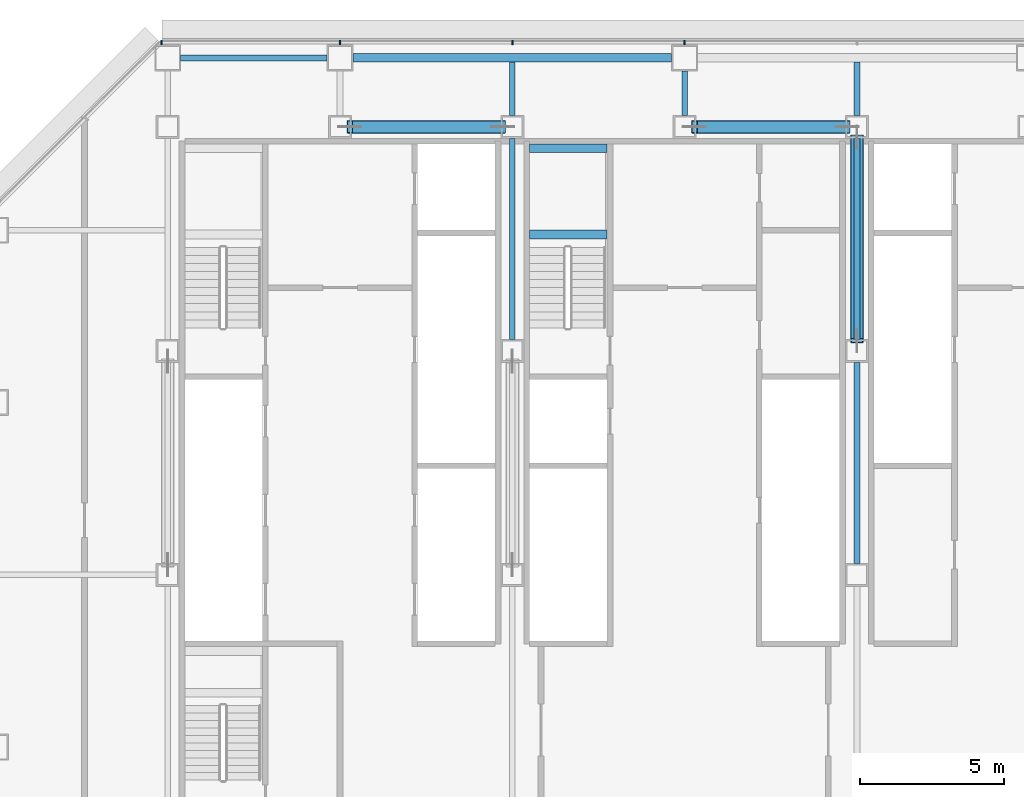
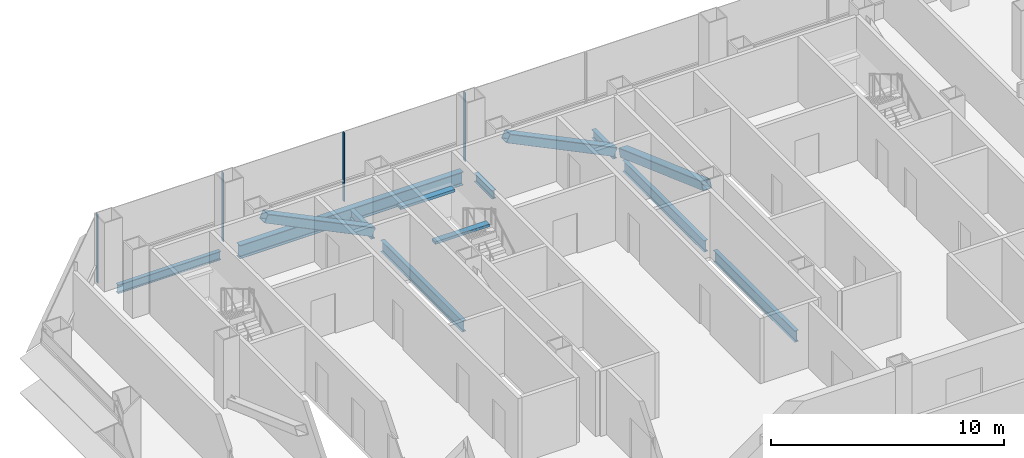
# One storey, part 12 of 28: 10 beams, 7 members, 1 element without a shape of its own.
"""IFC4 building model written with IfcOpenShell, lengths in metres."""

from ifc_helpers import new_model, si_unit, direction, frame, origin, origin_2d, place, context, subcontext, project, spatial, rectangle, hollow_rectangle, i_section, extrude, material, material_profile, profile_set, type_object, element, aggregate, save


model = new_model("IFC4")

# Units and contexts
model_context = context("Model", 3, precision=1e-05, world=origin(), true_north=direction((0.0, 1.0)))
body_context = subcontext(model_context, "Body", "Model", "MODEL_VIEW")
ifc_project = project(units=[si_unit("LENGTHUNIT", "METRE"), si_unit("AREAUNIT", "SQUARE_METRE"), si_unit("VOLUMEUNIT", "CUBIC_METRE"), si_unit("PLANEANGLEUNIT", "RADIAN"), si_unit("MASSUNIT", "GRAM", prefix="KILO")], contexts=[model_context])

# Site, building, storey
site_placement = place(None, origin())
site = spatial("IfcSite", under=ifc_project, at=site_placement, CompositionType="ELEMENT")
building_placement = place(site_placement, origin())
building = spatial("IfcBuilding", under=site, at=building_placement, Name="Sorahane Residences", CompositionType="ELEMENT")
storey_placement = place(building_placement, frame((0.0, 0.0, 60.60009765625)))
storey = spatial("IfcBuildingStorey", under=building, at=storey_placement, Name="L11", CompositionType="ELEMENT", Elevation=60.60009765625)

# Members
ifc_material_1 = material(Name="Steel Q355B", Category="steel")
ifc_material_profile_1 = material_profile(ifc_material_1, hollow_rectangle(XDim=0.449951171875, YDim=0.449951171875, WallThickness=0.02197265625, InnerFilletRadius=0.010986328125, OuterFilletRadius=0.032958984375, at=origin_2d()), Name="RHS 450x450x22")
ifc_profile_set_1 = profile_set([ifc_material_profile_1], Name="Steel Q355B")
member_type_1 = type_object("IfcMemberType", Name="Core brace RHS 450x450x22 Q355B", PredefinedType="BRACE", material=ifc_profile_set_1)
for number, where, z_axis, x_axis, name in (
    (1, (17.658935546875, 45.60009765625, 0.1962890625), (-0.899894691922, 0.0, 0.436107261405), (0.0, -1.0, 0.0), "Core brace L11 y45.6-2"),
    (2, (29.658935546875, 45.60009765625, 0.1962890625), (-0.899894691922, 0.0, 0.436107261405), (0.0, -1.0, 0.0), "Core brace L11 y45.6-4"),
):
    element("IfcMember", number, at=place(storey_placement, frame(where, z_axis=z_axis, x_axis=x_axis)), inside=storey, type_object=member_type_1, Name=name, PredefinedType="BRACE", context=body_context, shape_type="SweptSolid", body=[
        extrude(hollow_rectangle(XDim=0.449951171875, YDim=0.449951171875, WallThickness=0.02197265625, InnerFilletRadius=0.010986328125, OuterFilletRadius=0.032958984375, at=origin_2d()), origin(), (0.0, 0.0, 1.0), 5.909423828125),
    ])
member_1_placement = place(storey_placement, frame((30.0, 45.24560546875, 0.20849609375), z_axis=(0.0, -0.940882869443, 0.338732085856), x_axis=(1.0, 0.0, 0.0)))
element("IfcMember", 3, at=member_1_placement, inside=storey, type_object=member_type_1, Name="Core brace L11 x30-2", PredefinedType="BRACE", context=body_context, shape_type="SweptSolid", body=[
    extrude(hollow_rectangle(XDim=0.449951171875, YDim=0.449951171875, WallThickness=0.02197265625, InnerFilletRadius=0.010986328125, OuterFilletRadius=0.032958984375, at=origin_2d()), origin(), (0.0, 0.0, 1.0), 7.536865234375),
])

# Curtain wall, members
ifc_material_2 = material(Name="Dark low-e glass and black anodised aluminium", Category="aluminium")
curtain_wall_type = type_object("IfcCurtainWallType", Name="Curtain wall CW-1 Typical unitised wall", PredefinedType="NOTDEFINED", material=ifc_material_2)
curtain_wall_placement = place(storey_placement, origin())
curtain_wall = element("IfcCurtainWall", 4, at=curtain_wall_placement, inside=storey, type_object=curtain_wall_type, Name="CW-1 curtain wall L11 N1", PredefinedType="NOTDEFINED")
ifc_material_3 = material(Name="Black anodised aluminium", Category="aluminium")
ifc_material_profile_2 = material_profile(ifc_material_3, rectangle(XDim=0.159912109375, YDim=0.050048828125, at=origin_2d()), Name="Curtain wall mullion CW-1 black anodised aluminium 50x160")
ifc_profile_set_2 = profile_set([ifc_material_profile_2], Name="Black anodised aluminium")
member_type_2 = type_object("IfcMemberType", Name="Curtain wall mullion CW-1 black anodised aluminium 50x160", PredefinedType="MULLION", material=ifc_profile_set_2)
member_2_placement = place(storey_placement, frame((24.0, 48.5400390625, -0.18017578125), z_axis=(0.0, 0.0, 1.0), x_axis=(0.0, 1.0, 0.0)))
member_2 = element("IfcMember", 5, at=member_2_placement, type_object=member_type_2, Name="CW-1 mullion L11 N1.7", PredefinedType="MULLION", context=body_context, shape_type="SweptSolid", body=[
    extrude(rectangle(XDim=0.159912109375, YDim=0.050048828125, at=origin_2d()), origin(), (0.0, 0.0, 1.0), 3.60009765625),
])
member_3_placement = place(storey_placement, frame((18.0, 48.5400390625, -0.18017578125), z_axis=(0.0, 0.0, 1.0), x_axis=(0.0, 1.0, 0.0)))
member_3 = element("IfcMember", 6, at=member_3_placement, type_object=member_type_2, Name="CW-1 mullion L11 N1.8", PredefinedType="MULLION", context=body_context, shape_type="SweptSolid", body=[
    extrude(rectangle(XDim=0.159912109375, YDim=0.050048828125, at=origin_2d()), origin(), (0.0, 0.0, 1.0), 3.60009765625),
])
member_4_placement = place(storey_placement, frame((12.0, 48.5400390625, -0.18017578125), z_axis=(0.0, 0.0, 1.0), x_axis=(0.0, 1.0, 0.0)))
member_4 = element("IfcMember", 7, at=member_4_placement, type_object=member_type_2, Name="CW-1 mullion L11 N1.9", PredefinedType="MULLION", context=body_context, shape_type="SweptSolid", body=[
    extrude(rectangle(XDim=0.159912109375, YDim=0.050048828125, at=origin_2d()), origin(), (0.0, 0.0, 1.0), 3.60009765625),
])
member_5_placement = place(storey_placement, frame((5.7763671875, 48.5400390625, -0.18017578125), z_axis=(0.0, 0.0, 1.0), x_axis=(0.0, 1.0, 0.0)))
member_5 = element("IfcMember", 8, at=member_5_placement, type_object=member_type_2, Name="CW-1 mullion L11 N1.10", PredefinedType="MULLION", context=body_context, shape_type="SweptSolid", body=[
    extrude(rectangle(XDim=0.159912109375, YDim=0.050048828125, at=origin_2d()), origin(), (0.0, 0.0, 1.0), 3.60009765625),
])
aggregate(curtain_wall, [member_2, member_3, member_4, member_5])

# Beams
ifc_material_4 = material(Name="Concrete C40", Category="concrete")
ifc_material_profile_3 = material_profile(ifc_material_4, rectangle(XDim=0.300048828125, YDim=0.139892578125, at=origin_2d()), Name="300x140")
ifc_profile_set_3 = profile_set([ifc_material_profile_3], Name="Concrete C40")
beam_type_1 = type_object("IfcBeamType", Name="RC landing beam 300 x 140 Concrete C40", PredefinedType="BEAM", material=ifc_profile_set_3)
for number, where, z_axis, x_axis, name in (
    (9, (18.60009765625, 41.85009765625, 1.52978515625), (1.0, 0.0, 0.0), (0.0, 1.0, 0.0), "Landing beam"),
    (10, (18.60009765625, 44.85009765625, 1.52978515625), (1.0, 0.0, 0.0), (0.0, 1.0, 0.0), "Landing beam"),
):
    element("IfcBeam", number, at=place(storey_placement, frame(where, z_axis=z_axis, x_axis=x_axis)), inside=storey, type_object=beam_type_1, Name=name, PredefinedType="BEAM", context=body_context, shape_type="SweptSolid", body=[
        extrude(rectangle(XDim=0.300048828125, YDim=0.139892578125, at=origin_2d()), origin(), (0.0, 0.0, 1.0), 2.699951171875),
    ])
ifc_material_5 = material(Name="Steel Q355B", Category="steel")
ifc_material_profile_4 = material_profile(ifc_material_5, i_section(OverallWidth=0.199951171875, OverallDepth=0.449951171875, WebThickness=0.009033203125, FlangeThickness=0.013916015625, FilletRadius=0.02001953125, at=origin_2d()), Name="HN 450x200x9x14")
ifc_profile_set_4 = profile_set([ifc_material_profile_4], Name="Steel Q355B")
beam_type_2 = type_object("IfcBeamType", Name="Steel floor beam HN 450x200x9x14 Q355B", PredefinedType="BEAM", material=ifc_profile_set_4)
beam_1_placement = place(storey_placement, frame((6.449951171875, 48.0, -0.405029296875), z_axis=(1.0, 0.0, 0.0), x_axis=(0.0, 1.0, 0.0)))
element("IfcBeam", 11, at=beam_1_placement, inside=storey, type_object=beam_type_2, Name="Beam L11 012", PredefinedType="BEAM", context=body_context, shape_type="SweptSolid", body=[
    extrude(i_section(OverallWidth=0.199951171875, OverallDepth=0.449951171875, WebThickness=0.009033203125, FlangeThickness=0.013916015625, FilletRadius=0.02001953125, at=origin_2d()), origin(), (0.0, 0.0, 1.0), 5.10009765625),
])
beam_2_placement = place(storey_placement, frame((18.0, 46.0, -0.405029296875), z_axis=(0.0, 1.0, 0.0), x_axis=(-1.0, 0.0, 0.0)))
element("IfcBeam", 12, at=beam_2_placement, inside=storey, type_object=beam_type_2, Name="Beam L11 033", PredefinedType="BEAM", context=body_context, shape_type="SweptSolid", body=[
    extrude(i_section(OverallWidth=0.199951171875, OverallDepth=0.449951171875, WebThickness=0.009033203125, FlangeThickness=0.013916015625, FilletRadius=0.02001953125, at=origin_2d()), origin(), (0.0, 0.0, 1.0), 1.85009765625),
])
beam_3_placement = place(storey_placement, frame((24.0, 46.0, -0.405029296875), z_axis=(0.0, 1.0, 0.0), x_axis=(-1.0, 0.0, 0.0)))
element("IfcBeam", 13, at=beam_3_placement, inside=storey, type_object=beam_type_2, Name="Beam L11 035", PredefinedType="BEAM", context=body_context, shape_type="SweptSolid", body=[
    extrude(i_section(OverallWidth=0.199951171875, OverallDepth=0.449951171875, WebThickness=0.009033203125, FlangeThickness=0.013916015625, FilletRadius=0.02001953125, at=origin_2d()), origin(), (0.0, 0.0, 1.0), 1.550048828125),
])
beam_4_placement = place(storey_placement, frame((30.0, 46.0, -0.405029296875), z_axis=(0.0, 1.0, 0.0), x_axis=(-1.0, 0.0, 0.0)))
element("IfcBeam", 14, at=beam_4_placement, inside=storey, type_object=beam_type_2, Name="Beam L11 041", PredefinedType="BEAM", context=body_context, shape_type="SweptSolid", body=[
    extrude(i_section(OverallWidth=0.199951171875, OverallDepth=0.449951171875, WebThickness=0.009033203125, FlangeThickness=0.013916015625, FilletRadius=0.02001953125, at=origin_2d()), origin(), (0.0, 0.0, 1.0), 1.85009765625),
])
ifc_material_6 = material(Name="Steel Q355B", Category="steel")
ifc_material_profile_5 = material_profile(ifc_material_6, i_section(OverallWidth=0.199951171875, OverallDepth=0.60009765625, WebThickness=0.010986328125, FlangeThickness=0.01708984375, FilletRadius=0.02392578125, at=origin_2d()), Name="HN 600x200x11x17")
ifc_profile_set_5 = profile_set([ifc_material_profile_5], Name="Steel Q355B")
beam_type_3 = type_object("IfcBeamType", Name="Steel floor beam HN 600x200x11x17 Q355B", PredefinedType="BEAM", material=ifc_profile_set_5)
for number, where, z_axis, x_axis, name in (
    (15, (18.0, 38.199951171875, -0.47998046875), (0.0, 1.0, 0.0), (-1.0, 0.0, 0.0), "Beam L11 032"),
    (16, (30.0, 30.39990234375, -0.47998046875), (0.0, 1.0, 0.0), (-1.0, 0.0, 0.0), "Beam L11 039"),
    (17, (30.0, 38.199951171875, -0.47998046875), (0.0, 1.0, 0.0), (-1.0, 0.0, 0.0), "Beam L11 040"),
):
    element("IfcBeam", number, at=place(storey_placement, frame(where, z_axis=z_axis, x_axis=x_axis)), inside=storey, type_object=beam_type_3, Name=name, PredefinedType="BEAM", context=body_context, shape_type="SweptSolid", body=[
        extrude(i_section(OverallWidth=0.199951171875, OverallDepth=0.60009765625, WebThickness=0.010986328125, FlangeThickness=0.01708984375, FilletRadius=0.02392578125, at=origin_2d()), origin(), (0.0, 0.0, 1.0), 7.0),
    ])
ifc_material_7 = material(Name="Steel Q355B", Category="steel")
ifc_material_profile_6 = material_profile(ifc_material_7, i_section(OverallWidth=0.300048828125, OverallDepth=0.699951171875, WebThickness=0.012939453125, FlangeThickness=0.02392578125, FilletRadius=0.028076171875, at=origin_2d()), Name="HN 700x300x13x24")
ifc_profile_set_6 = profile_set([ifc_material_profile_6], Name="Steel Q355B")
beam_type_4 = type_object("IfcBeamType", Name="Steel floor beam HN 700x300x13x24 Q355B", PredefinedType="BEAM", material=ifc_profile_set_6)
beam_5_placement = place(storey_placement, frame((12.449951171875, 48.0, -0.530029296875), z_axis=(1.0, 0.0, 0.0), x_axis=(0.0, 1.0, 0.0)))
element("IfcBeam", 18, at=beam_5_placement, inside=storey, type_object=beam_type_4, Name="Beam L11 013", PredefinedType="BEAM", context=body_context, shape_type="SweptSolid", body=[
    extrude(i_section(OverallWidth=0.300048828125, OverallDepth=0.699951171875, WebThickness=0.012939453125, FlangeThickness=0.02392578125, FilletRadius=0.028076171875, at=origin_2d()), origin(), (0.0, 0.0, 1.0), 11.10009765625),
])

save(model, "model.ifc")
